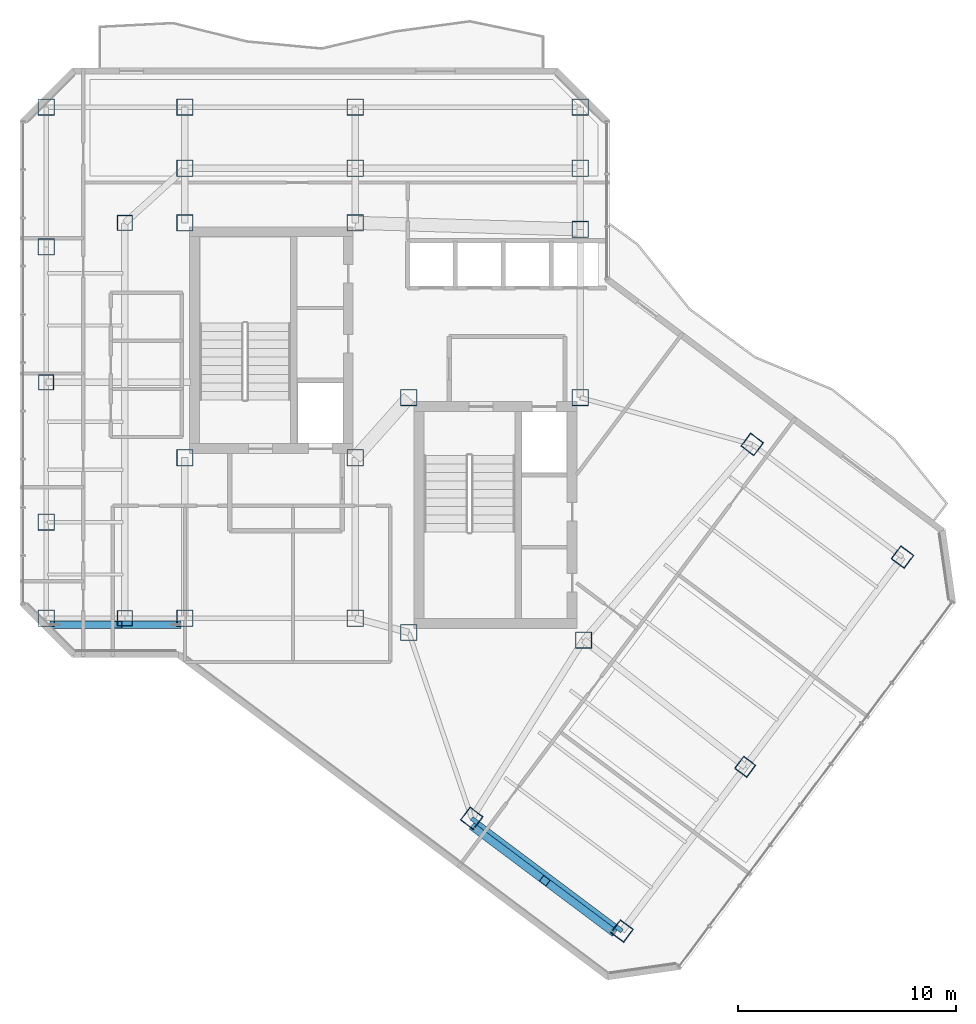
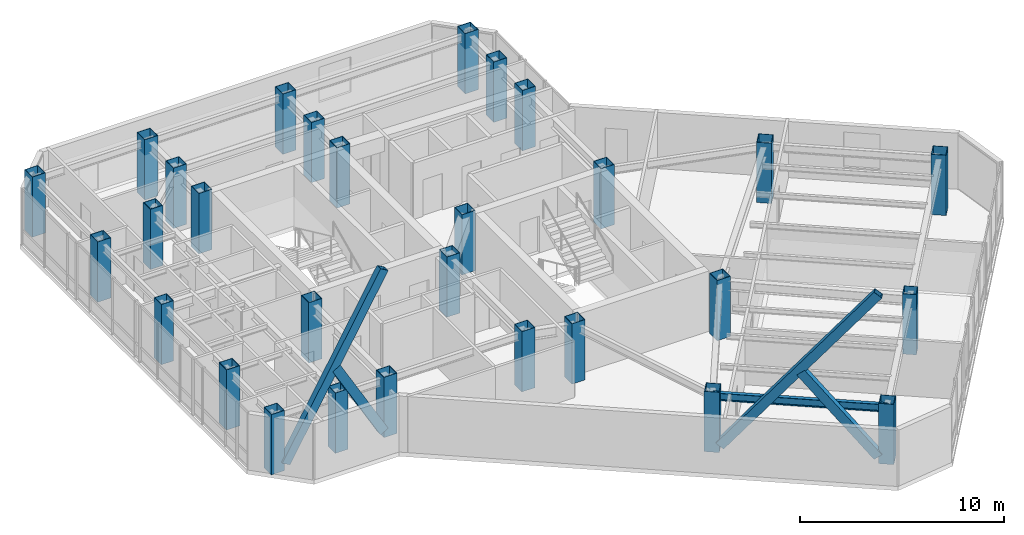
# One storey, part 1 of 24: 29 columns, 4 members, 1 beam.
"""IFC4 building model written with IfcOpenShell, lengths in metres."""

from ifc_helpers import new_model, si_unit, direction, frame, origin, origin_2d, place, context, subcontext, project, spatial, hollow_rectangle, i_section, extrude, material, material_profile, profile_set, type_object, element, save


model = new_model("IFC4")

# Units and contexts
model_context = context("Model", 3, precision=1e-05, world=origin(), true_north=direction((0.0, 1.0)))
body_context = subcontext(model_context, "Body", "Model", "MODEL_VIEW")
ifc_project = project(units=[si_unit("LENGTHUNIT", "METRE"), si_unit("AREAUNIT", "SQUARE_METRE"), si_unit("VOLUMEUNIT", "CUBIC_METRE"), si_unit("PLANEANGLEUNIT", "RADIAN"), si_unit("MASSUNIT", "GRAM", prefix="KILO")], contexts=[model_context])

# Site, building, storey
site_placement = place(None, origin())
site = spatial("IfcSite", under=ifc_project, at=site_placement, CompositionType="ELEMENT")
building_placement = place(site_placement, origin())
building = spatial("IfcBuilding", under=site, at=building_placement, Name="Hatsunagi Terrace Concourse", CompositionType="ELEMENT")
storey_placement = place(building_placement, frame((0.0, 0.0, 213.14990234375)))
storey = spatial("IfcBuildingStorey", under=building, at=storey_placement, Name="L56", CompositionType="ELEMENT", Elevation=213.14990234375)

# Columns
ifc_material_1 = material(Name="Steel BCP325T", Category="steel")
ifc_material_profile_1 = material_profile(ifc_material_1, hollow_rectangle(XDim=0.699951171875, YDim=0.699951171875, WallThickness=0.028076171875, at=origin_2d()), Name="BCP-700x700x28")
ifc_profile_set_1 = profile_set([ifc_material_profile_1], Name="Steel BCP325T")
column_type_1 = type_object("IfcColumnType", Name="TowerBoxColumn_700x700x28", PredefinedType="COLUMN", material=ifc_profile_set_1)
for number, where, z_axis, x_axis, name in (
    (1, (22.800048828125, 25.199951171875, 0.0), (0.0, 0.0, 1.0), (1.0, 0.0, 0.0), "Column C-08 L56-CW1"),
    (2, (22.800048828125, 43.300048828125, 0.0), (0.0, 0.0, 1.0), (1.0, 0.0, 0.0), "Column C-08 L56-CW2"),
    (3, (19.199951171875, 36.0, 0.0), (0.0, 0.0, 1.0), (1.0, 0.0, 0.0), "Column C-08 L56-WT2"),
    (4, (51.199951171875, 18.39990234375, 0.0), (0.0, 0.0, 1.0), (0.799999996291, -0.600000004945, 0.0), "Column C-08 L56-SEM2"),
):
    element("IfcColumn", number, at=place(storey_placement, frame(where, z_axis=z_axis, x_axis=x_axis)), inside=storey, type_object=column_type_1, Name=name, PredefinedType="COLUMN", context=body_context, shape_type="SweptSolid", body=[
        extrude(hollow_rectangle(XDim=0.699951171875, YDim=0.699951171875, WallThickness=0.028076171875, at=origin_2d()), origin(), (0.0, 0.0, 1.0), 3.60009765625),
    ])
ifc_material_2 = material(Name="Steel BCP325T", Category="steel")
ifc_material_profile_2 = material_profile(ifc_material_2, hollow_rectangle(XDim=0.75, YDim=0.75, WallThickness=0.028076171875, at=origin_2d()), Name="BCP-750x750x28")
ifc_profile_set_2 = profile_set([ifc_material_profile_2], Name="Steel BCP325T")
column_type_2 = type_object("IfcColumnType", Name="TowerBoxColumn_750x750x28", PredefinedType="COLUMN", material=ifc_profile_set_2)
for number, where, z_axis, x_axis, name in (
    (5, (25.550048828125, 32.550048828125, 0.0), (0.0, 0.0, 1.0), (1.0, 0.0, 0.0), "Column C-07 L56-CASW"),
    (6, (33.35009765625, 32.550048828125, 0.0), (0.0, 0.0, 1.0), (1.0, 0.0, 0.0), "Column C-07 L56-CASE"),
    (7, (25.550048828125, 43.300048828125, 0.0), (0.0, 0.0, 1.0), (1.0, 0.0, 0.0), "Column C-07 L56-CANW"),
    (8, (33.35009765625, 43.300048828125, 0.0), (0.0, 0.0, 1.0), (1.0, 0.0, 0.0), "Column C-07 L56-CANE"),
    (9, (35.800048828125, 24.550048828125, 0.0), (0.0, 0.0, 1.0), (1.0, 0.0, 0.0), "Column C-07 L56-CBSW"),
    (10, (43.800048828125, 24.199951171875, 0.0), (0.0, 0.0, 1.0), (1.0, 0.0, 0.0), "Column C-07 L56-CBSE"),
    (11, (35.800048828125, 35.300048828125, 0.0), (0.0, 0.0, 1.0), (1.0, 0.0, 0.0), "Column C-07 L56-CBNW"),
    (12, (43.64990234375, 35.300048828125, 0.0), (0.0, 0.0, 1.0), (1.0, 0.0, 0.0), "Column C-07 L56-CBNE"),
    (13, (25.550048828125, 25.199951171875, 0.0), (0.0, 0.0, 1.0), (1.0, 0.0, 0.0), "Column C-07 L56-K1"),
    (14, (33.35009765625, 25.199951171875, 0.0), (0.0, 0.0, 1.0), (1.0, 0.0, 0.0), "Column C-07 L56-K2"),
    (15, (43.64990234375, 43.0, 0.0), (0.0, 0.0, 1.0), (1.0, 0.0, 0.0), "Column C-07 L56-K3"),
    (16, (25.550048828125, 45.800048828125, 0.0), (0.0, 0.0, 1.0), (1.0, 0.0, 0.0), "Column C-07 L56-CN1"),
    (17, (33.35009765625, 45.800048828125, 0.0), (0.0, 0.0, 1.0), (1.0, 0.0, 0.0), "Column C-07 L56-CN2"),
    (18, (43.64990234375, 45.800048828125, 0.0), (0.0, 0.0, 1.0), (1.0, 0.0, 0.0), "Column C-07 L56-CN3"),
    (19, (19.199951171875, 48.60009765625, 0.0), (0.0, 0.0, 1.0), (1.0, 0.0, 0.0), "Column C-07 L56-WN3"),
    (20, (25.550048828125, 48.60009765625, 0.0), (0.0, 0.0, 1.0), (1.0, 0.0, 0.0), "Column C-07 L56-WN4"),
    (21, (33.35009765625, 48.60009765625, 0.0), (0.0, 0.0, 1.0), (1.0, 0.0, 0.0), "Column C-07 L56-WN5"),
    (22, (43.64990234375, 48.60009765625, 0.0), (0.0, 0.0, 1.0), (1.0, 0.0, 0.0), "Column C-07 L56-WN6"),
    (23, (19.199951171875, 25.199951171875, 0.0), (0.0, 0.0, 1.0), (1.0, 0.0, 0.0), "Column C-07 L56-WS3"),
    (24, (19.199951171875, 29.60009765625, 0.0), (0.0, 0.0, 1.0), (1.0, 0.0, 0.0), "Column C-07 L56-WR1"),
    (25, (19.199951171875, 42.199951171875, 0.0), (0.0, 0.0, 1.0), (1.0, 0.0, 0.0), "Column C-07 L56-WR2"),
    (26, (38.679931640625, 16.0400390625, 0.0), (0.0, 0.0, 1.0), (0.799999996291, -0.600000004945, 0.0), "Column C-07 L56-SES1"),
    (27, (51.52001953125, 33.159912109375, 0.0), (0.0, 0.0, 1.0), (0.799999996291, -0.600000004945, 0.0), "Column C-07 L56-SEN1"),
    (28, (45.56005859375, 10.8798828125, 0.0), (0.0, 0.0, 1.0), (0.799999996291, -0.600000004945, 0.0), "Column C-07 L56-SES2"),
    (29, (58.39990234375, 28.0, 0.0), (0.0, 0.0, 1.0), (0.799999996291, -0.600000004945, 0.0), "Column C-07 L56-SEN2"),
):
    element("IfcColumn", number, at=place(storey_placement, frame(where, z_axis=z_axis, x_axis=x_axis)), inside=storey, type_object=column_type_2, Name=name, PredefinedType="COLUMN", context=body_context, shape_type="SweptSolid", body=[
        extrude(hollow_rectangle(XDim=0.75, YDim=0.75, WallThickness=0.028076171875, at=origin_2d()), origin(), (0.0, 0.0, 1.0), 3.60009765625),
    ])

# Beam
ifc_material_3 = material(Name="Steel SN490B", Category="steel")
ifc_material_profile_3 = material_profile(ifc_material_3, i_section(OverallWidth=0.199951171875, OverallDepth=0.449951171875, WebThickness=0.009033203125, FlangeThickness=0.013916015625, FilletRadius=0.01611328125, at=origin_2d()), Name="H-450x200x9x14")
ifc_profile_set_3 = profile_set([ifc_material_profile_3], Name="Steel SN490B")
beam_type = type_object("IfcBeamType", Name="PerimeterSpandrel_H_450x200", PredefinedType="SPANDREL", material=ifc_profile_set_3)
beam_placement = place(storey_placement, frame((38.679931640625, 16.0400390625, 3.125), z_axis=(0.799996593451, -0.600004542038, 0.0), x_axis=(0.600004542038, 0.799996593451, 0.0)))
element("IfcBeam", 30, at=beam_placement, inside=storey, type_object=beam_type, Name="Beam SP-02 BM-L56-SE-SW2", PredefinedType="SPANDREL", context=body_context, shape_type="SweptSolid", body=[
    extrude(i_section(OverallWidth=0.199951171875, OverallDepth=0.449951171875, WebThickness=0.009033203125, FlangeThickness=0.013916015625, FilletRadius=0.01611328125, at=origin_2d()), origin(), (0.0, 0.0, 1.0), 8.60009765625),
])

# Members
ifc_material_4 = material(Name="Steel SN490B", Category="steel")
ifc_material_profile_4 = material_profile(ifc_material_4, hollow_rectangle(XDim=0.35009765625, YDim=0.5, WallThickness=0.02197265625, at=origin_2d()), Name="RHS-500x350x22")
ifc_profile_set_4 = profile_set([ifc_material_profile_4], Name="Steel SN490B")
member_type = type_object("IfcMemberType", Name="PerimeterXBrace_Upper_RHS_500x350x22", PredefinedType="BRACE", material=ifc_profile_set_4)
member_1_placement = place(storey_placement, frame((19.60009765625, 24.89990234375, 0.440185546875), z_axis=(0.497769917846, 0.0, 0.867309119569), x_axis=(0.0, 1.0, 0.0)))
element("IfcMember", 31, at=member_1_placement, inside=storey, type_object=member_type, Name="Perimeter X-Brace XB-03 XB-L56-W1A", PredefinedType="BRACE", context=body_context, shape_type="SweptSolid", body=[
    extrude(hollow_rectangle(XDim=0.35009765625, YDim=0.5, WallThickness=0.02197265625, at=origin_2d()), origin(), (0.0, 0.0, 1.0), 11.1494140625),
])
member_2_placement = place(storey_placement, frame((22.445068359375, 24.89990234375, 5.154052734375), z_axis=(0.497691064471, 0.0, -0.867354370684), x_axis=(0.0, 1.0, 0.0)))
element("IfcMember", 32, at=member_2_placement, inside=storey, type_object=member_type, Name="Perimeter X-Brace Split Lower XB-03 XB-L56-W1B2", PredefinedType="BRACE", context=body_context, shape_type="SweptSolid", body=[
    extrude(hollow_rectangle(XDim=0.35009765625, YDim=0.5, WallThickness=0.02197265625, at=origin_2d()), origin(), (0.0, 0.0, 1.0), 5.434814453125),
])
member_3_placement = place(storey_placement, frame((38.83203125, 15.575927734375, 0.440185546875), z_axis=(0.502267801374, -0.376695938203, 0.778349038571), x_axis=(0.599994991944, 0.800003756017, 0.0)))
element("IfcMember", 33, at=member_3_placement, inside=storey, type_object=member_type, Name="Perimeter X-Brace XB-03 XB-L56-SEA", PredefinedType="BRACE", context=body_context, shape_type="SweptSolid", body=[
    extrude(hollow_rectangle(XDim=0.35009765625, YDim=0.5, WallThickness=0.02197265625, at=origin_2d()), origin(), (0.0, 0.0, 1.0), 12.423583984375),
])
member_4_placement = place(storey_placement, frame((42.02197265625, 13.18310546875, 5.166015625), z_axis=(0.50232765133, -0.376675373221, -0.778320367149), x_axis=(0.599928272603, 0.800053790524, 0.0)))
element("IfcMember", 34, at=member_4_placement, inside=storey, type_object=member_type, Name="Perimeter X-Brace Split Lower XB-03 XB-L56-SEB2", PredefinedType="BRACE", context=body_context, shape_type="SweptSolid", body=[
    extrude(hollow_rectangle(XDim=0.35009765625, YDim=0.5, WallThickness=0.02197265625, at=origin_2d()), origin(), (0.0, 0.0, 1.0), 6.07177734375),
])

save(model, "model.ifc")
